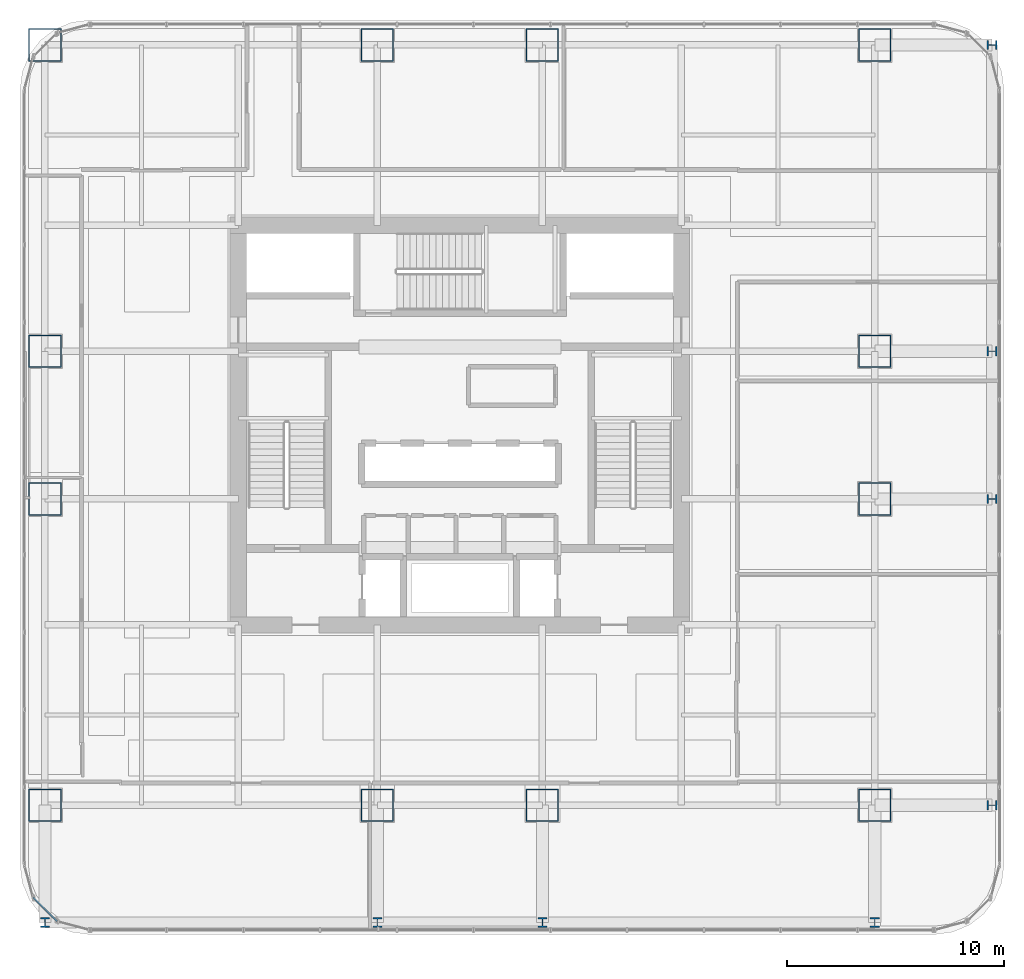
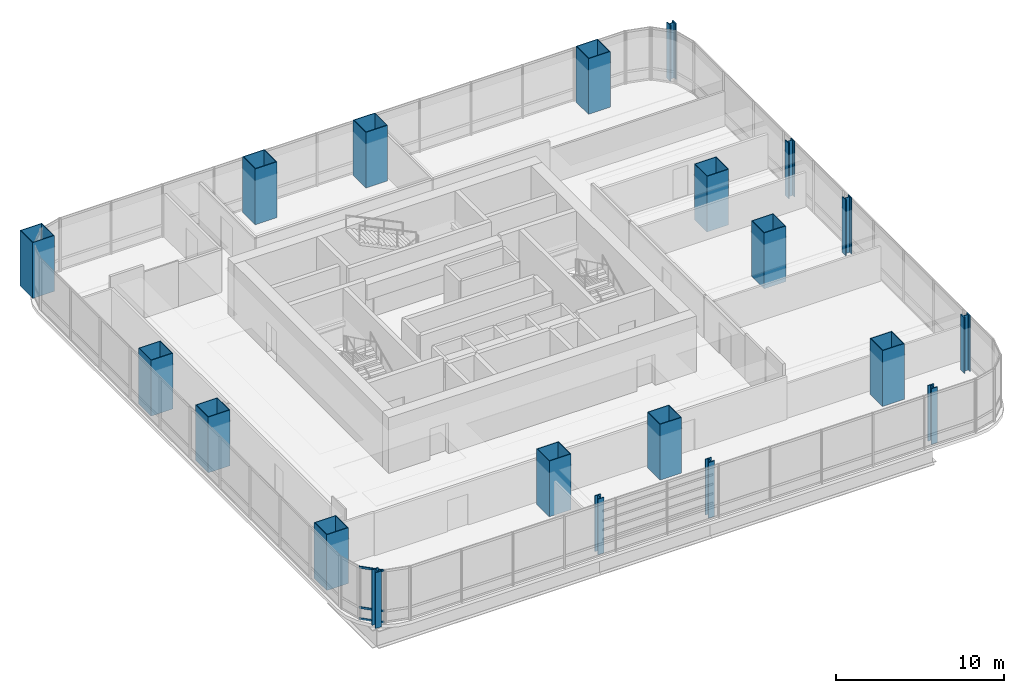
# One storey, part 1 of 35: 20 columns, 3 members, 1 element without a shape of its own.
"""IFC4 building model written with IfcOpenShell, lengths in metres."""

from ifc_helpers import new_model, si_unit, direction, frame, origin, origin_2d, place, context, subcontext, project, spatial, hollow_rectangle, i_section, extrude, material, material_profile, profile_set, type_object, element, aggregate, save


model = new_model("IFC4")

# Units and contexts
model_context = context("Model", 3, precision=1e-05, world=origin(), true_north=direction((0.0, 1.0)))
body_context = subcontext(model_context, "Body", "Model", "MODEL_VIEW")
ifc_project = project(units=[si_unit("LENGTHUNIT", "METRE"), si_unit("AREAUNIT", "SQUARE_METRE"), si_unit("VOLUMEUNIT", "CUBIC_METRE"), si_unit("PLANEANGLEUNIT", "RADIAN"), si_unit("MASSUNIT", "GRAM", prefix="KILO")], contexts=[model_context])

# Site, building, storey
site_placement = place(None, origin())
site = spatial("IfcSite", under=ifc_project, at=site_placement, CompositionType="ELEMENT")
building_placement = place(site_placement, origin())
building = spatial("IfcBuilding", under=site, at=building_placement, Name="Punatoya Terracotta Tower", CompositionType="ELEMENT")
storey_placement = place(building_placement, frame((0.0, 0.0, 64.64990234375)))
storey = spatial("IfcBuildingStorey", under=building, at=storey_placement, Name="L14", CompositionType="ELEMENT", Elevation=64.64990234375)

# Columns
ifc_material_1 = material(Name="Steel S460", Category="steel")
ifc_material_profile_1 = material_profile(ifc_material_1, i_section(OverallWidth=0.416015625, OverallDepth=0.446044921875, WebThickness=0.0390625, FlangeThickness=0.06201171875, FilletRadius=0.01806640625, at=origin_2d()))
ifc_profile_set_1 = profile_set([ifc_material_profile_1], Name="Steel S460")
column_type_1 = type_object("IfcColumnType", Name="COL-EX-M1", PredefinedType="COLUMN", material=ifc_profile_set_1)
for number, where, z_axis, x_axis, name in (
    (1, (-19.10009765625, -22.89990234375, 0.0), (0.0, 0.0, 1.0), (1.0, 0.0, 0.0), "L14 Exoskeleton Perimeter Column S1"),
    (2, (-3.800048828125, -22.89990234375, 0.0), (0.0, 0.0, 1.0), (1.0, 0.0, 0.0), "L14 Exoskeleton Perimeter Column S2"),
    (3, (3.800048828125, -22.89990234375, 0.0), (0.0, 0.0, 1.0), (1.0, 0.0, 0.0), "L14 Exoskeleton Perimeter Column S3"),
    (4, (19.10009765625, -22.89990234375, 0.0), (0.0, 0.0, 1.0), (1.0, 0.0, 0.0), "L14 Exoskeleton Perimeter Column S4"),
    (5, (24.5, -17.5, 0.0), (0.0, 0.0, 1.0), (0.0, 1.0, 0.0), "L14 Exoskeleton Perimeter Column E1"),
    (6, (24.5, -3.39990234375, 0.0), (0.0, 0.0, 1.0), (0.0, 1.0, 0.0), "L14 Exoskeleton Perimeter Column E2"),
    (7, (24.5, 3.39990234375, 0.0), (0.0, 0.0, 1.0), (0.0, 1.0, 0.0), "L14 Exoskeleton Perimeter Column E3"),
    (8, (24.5, 17.5, 0.0), (0.0, 0.0, 1.0), (0.0, 1.0, 0.0), "L14 Exoskeleton Perimeter Column E4"),
):
    element("IfcColumn", number, at=place(storey_placement, frame(where, z_axis=z_axis, x_axis=x_axis)), inside=storey, type_object=column_type_1, Name=name, PredefinedType="COLUMN", context=body_context, shape_type="SweptSolid", body=[
        extrude(i_section(OverallWidth=0.416015625, OverallDepth=0.446044921875, WebThickness=0.0390625, FlangeThickness=0.06201171875, FilletRadius=0.01806640625, at=origin_2d()), origin(), (0.0, 0.0, 1.0), 4.048095703125),
    ])
ifc_material_profile_2 = material_profile(ifc_material_1, hollow_rectangle(XDim=1.5, YDim=1.5, WallThickness=0.044921875, at=origin_2d()))
ifc_profile_set_2 = profile_set([ifc_material_profile_2], Name="Steel S460")
column_type_2 = type_object("IfcColumnType", Name="COL-MC-Z1", PredefinedType="COLUMN", material=ifc_profile_set_2)
for number, where, z_axis, x_axis, name in (
    (9, (-19.10009765625, -17.5, 0.0), (0.0, 0.0, 1.0), (1.0, 0.0, 0.0), "L14 Composite Mega-Column MC-01 (3-B)"),
    (10, (-3.800048828125, -17.5, 0.0), (0.0, 0.0, 1.0), (1.0, 0.0, 0.0), "L14 Composite Mega-Column MC-02 (5-B)"),
    (11, (3.800048828125, -17.5, 0.0), (0.0, 0.0, 1.0), (1.0, 0.0, 0.0), "L14 Composite Mega-Column MC-03 (7-B)"),
    (12, (19.10009765625, -17.5, 0.0), (0.0, 0.0, 1.0), (1.0, 0.0, 0.0), "L14 Composite Mega-Column MC-04 (9-B)"),
    (13, (19.10009765625, -3.39990234375, 0.0), (0.0, 0.0, 1.0), (1.0, 0.0, 0.0), "L14 Composite Mega-Column MC-05 (9-D)"),
    (14, (19.10009765625, 3.39990234375, 0.0), (0.0, 0.0, 1.0), (1.0, 0.0, 0.0), "L14 Composite Mega-Column MC-06 (9-E)"),
    (15, (19.10009765625, 17.5, 0.0), (0.0, 0.0, 1.0), (1.0, 0.0, 0.0), "L14 Composite Mega-Column MC-07 (9-G)"),
    (16, (3.800048828125, 17.5, 0.0), (0.0, 0.0, 1.0), (1.0, 0.0, 0.0), "L14 Composite Mega-Column MC-08 (7-G)"),
    (17, (-3.800048828125, 17.5, 0.0), (0.0, 0.0, 1.0), (1.0, 0.0, 0.0), "L14 Composite Mega-Column MC-09 (5-G)"),
    (18, (-19.10009765625, 17.5, 0.0), (0.0, 0.0, 1.0), (1.0, 0.0, 0.0), "L14 Composite Mega-Column MC-10 (3-G)"),
    (19, (-19.10009765625, 3.39990234375, 0.0), (0.0, 0.0, 1.0), (1.0, 0.0, 0.0), "L14 Composite Mega-Column MC-11 (3-E)"),
    (20, (-19.10009765625, -3.39990234375, 0.0), (0.0, 0.0, 1.0), (1.0, 0.0, 0.0), "L14 Composite Mega-Column MC-12 (3-D)"),
):
    element("IfcColumn", number, at=place(storey_placement, frame(where, z_axis=z_axis, x_axis=x_axis)), inside=storey, type_object=column_type_2, Name=name, PredefinedType="COLUMN", context=body_context, shape_type="SweptSolid", body=[
        extrude(hollow_rectangle(XDim=1.5, YDim=1.5, WallThickness=0.044921875, at=origin_2d()), origin(), (0.0, 0.0, 1.0), 4.050048828125),
    ])

# Curtain wall, members
ifc_material_2 = material(Name="Aluminium 6063-T6 + Double Low-E Glass", Category="aluminium")
curtain_wall_type = type_object("IfcCurtainWallType", Name="CW-M1", PredefinedType="NOTDEFINED", material=ifc_material_2)
curtain_wall_placement = place(storey_placement, origin())
curtain_wall = element("IfcCurtainWall", 21, at=curtain_wall_placement, inside=storey, type_object=curtain_wall_type, Name="L14 Curtain Wall CW-L14-CRN15", PredefinedType="NOTDEFINED")
ifc_material_3 = material(Name="Aluminium 6063-T6", Category="aluminium")
ifc_material_profile_3 = material_profile(ifc_material_3, hollow_rectangle(XDim=0.068115234375, YDim=0.14990234375, WallThickness=0.00390625, at=origin_2d()))
ifc_profile_set_3 = profile_set([ifc_material_profile_3], Name="Aluminium 6063-T6")
member_type = type_object("IfcMemberType", Name="CW-TRN-TYP", PredefinedType="USERDEFINED", material=ifc_profile_set_3)
member_1_placement = place(storey_placement, frame((-19.646484375, -21.7490234375, 0.0400390625), z_axis=(0.707028130747, -0.707185422879, 0.0), x_axis=(0.707185422879, 0.707028130747, 0.0)))
member_1 = element("IfcMember", 22, at=member_1_placement, type_object=member_type, Name="CW-L14-CRN15 Transom 1", ObjectType="TRANSOM", PredefinedType="USERDEFINED", context=body_context, shape_type="SweptSolid", body=[
    extrude(hollow_rectangle(XDim=0.068115234375, YDim=0.14990234375, WallThickness=0.00390625, at=origin_2d()), origin(), (0.0, 0.0, 1.0), 1.55224609375),
])
member_2_placement = place(storey_placement, frame((-19.646484375, -21.7490234375, 0.85009765625), z_axis=(0.707028130747, -0.707185422879, 0.0), x_axis=(0.707185422879, 0.707028130747, 0.0)))
member_2 = element("IfcMember", 23, at=member_2_placement, type_object=member_type, Name="CW-L14-CRN15 Transom 2", ObjectType="TRANSOM", PredefinedType="USERDEFINED", context=body_context, shape_type="SweptSolid", body=[
    extrude(hollow_rectangle(XDim=0.068115234375, YDim=0.14990234375, WallThickness=0.00390625, at=origin_2d()), origin(), (0.0, 0.0, 1.0), 1.55224609375),
])
member_3_placement = place(storey_placement, frame((-19.646484375, -21.7490234375, 3.77001953125), z_axis=(0.707028130747, -0.707185422879, 0.0), x_axis=(0.707185422879, 0.707028130747, 0.0)))
member_3 = element("IfcMember", 24, at=member_3_placement, type_object=member_type, Name="CW-L14-CRN15 Transom 3", ObjectType="TRANSOM", PredefinedType="USERDEFINED", context=body_context, shape_type="SweptSolid", body=[
    extrude(hollow_rectangle(XDim=0.068115234375, YDim=0.14990234375, WallThickness=0.00390625, at=origin_2d()), origin(), (0.0, 0.0, 1.0), 1.55224609375),
])
aggregate(curtain_wall, [member_1, member_2, member_3])

save(model, "model.ifc")
